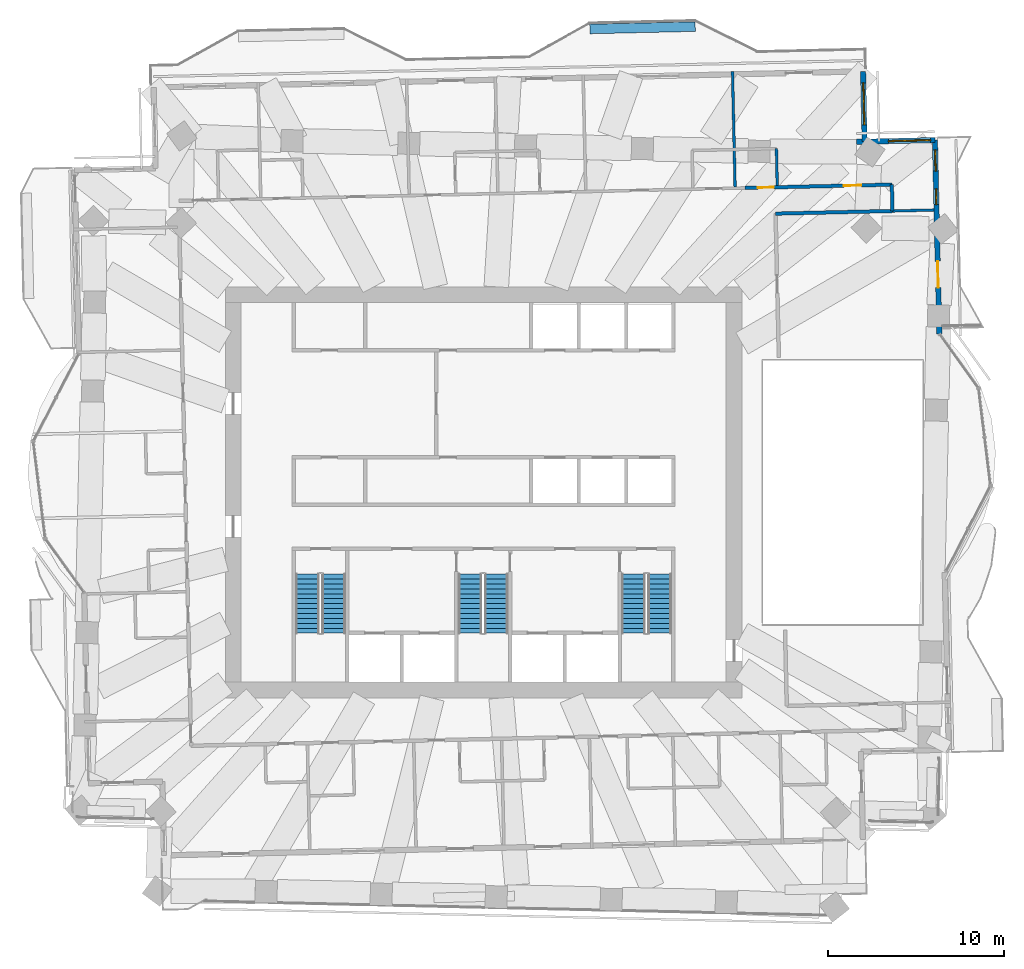
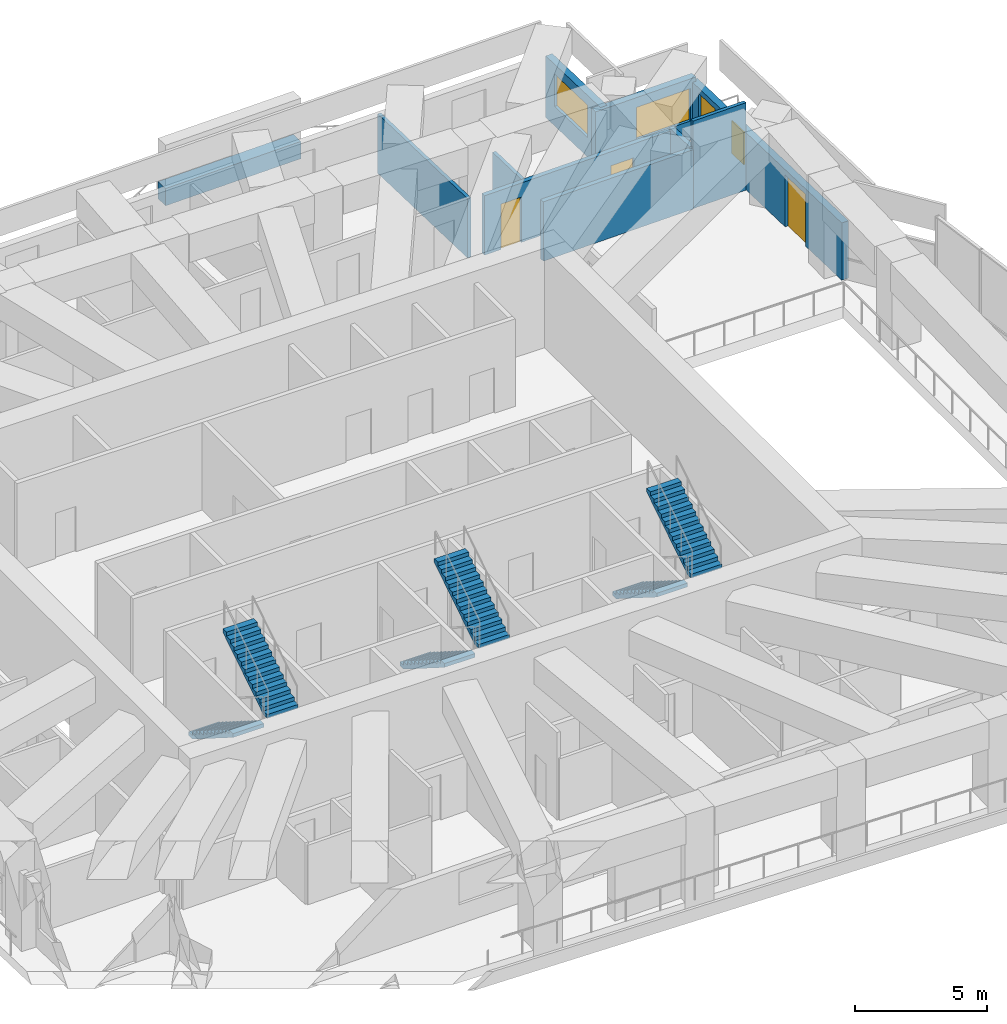
# One storey, part 13 of 17: 10 walls, 6 stair flights, 4 windows, 3 doors, 7 openings, 3 elements without a shape of their own.
"""IFC4 building model written with IfcOpenShell, lengths in metres."""

from ifc_helpers import new_model, si_unit, direction, frame, frame_2d, origin, place, context, subcontext, project, spatial, polyline, rectangle, outline, extrude, material, layer, layer_set, type_object, element, fill, aggregate, save


model = new_model("IFC4")

# Units and contexts
model_context = context("Model", 3, precision=1e-05, world=origin(), true_north=direction((0.0, 1.0)))
body_context = subcontext(model_context, "Body", "Model", "MODEL_VIEW")
ifc_project = project(units=[si_unit("LENGTHUNIT", "METRE"), si_unit("AREAUNIT", "SQUARE_METRE"), si_unit("VOLUMEUNIT", "CUBIC_METRE"), si_unit("PLANEANGLEUNIT", "RADIAN"), si_unit("MASSUNIT", "GRAM", prefix="KILO")], contexts=[model_context])

# Site, building, storey
site_placement = place(None, origin())
site = spatial("IfcSite", under=ifc_project, at=site_placement, CompositionType="ELEMENT")
building_placement = place(site_placement, origin())
building = spatial("IfcBuilding", under=site, at=building_placement, Name="Mangrove Gate Tower", CompositionType="ELEMENT")
storey_placement = place(building_placement, frame((0.0, 0.0, 170.699951171875)))
storey = spatial("IfcBuildingStorey", under=building, at=storey_placement, Name="L43", CompositionType="ELEMENT", Elevation=170.699951171875)

# Walls
ifc_material_1 = material(Name="Gypsum board on steel stud, EI 60", Category="steel")
ifc_layer_1 = layer(ifc_material_1, 0.199951171875)
ifc_layer_set_1 = layer_set([ifc_layer_1], Name="Corridor wall EI 60")
wall_type_1 = type_object("IfcWallType", Name="Corridor wall EI 60", PredefinedType="PARTITIONING", material=ifc_layer_set_1)
wall_1_placement = place(storey_placement, frame((16.612060546875, 15.864013671875, 0.0), z_axis=(0.0, 0.0, 1.0), x_axis=(0.999742781981, 0.022679723929, 0.0)))
element("IfcWall", 1, at=wall_1_placement, inside=storey, type_object=wall_type_1, Name="WALL-L43-038", PredefinedType="PARTITIONING", context=body_context, shape_type="SweptSolid", body=[
    extrude(rectangle(XDim=6.652587890625, YDim=0.199951171875, at=frame_2d((3.326171875, 0.0))), origin(), (0.0, 0.0, 1.0), 2.75),
])
wall_2_placement = place(storey_placement, frame((23.260009765625, 16.01904296875, 0.0), z_axis=(0.0, 0.0, 1.0), x_axis=(-0.022617910375, 0.999744182344, 0.0)))
element("IfcWall", 2, at=wall_2_placement, inside=storey, type_object=wall_type_1, Name="WALL-L43-040", PredefinedType="PARTITIONING", context=body_context, shape_type="SweptSolid", body=[
    extrude(rectangle(XDim=1.50048828125, YDim=0.199951171875, at=frame_2d((0.750244140625, 0.0))), origin(), (0.0, 0.0, 1.0), 2.85009765625),
])

# Wall, openings, doors
wall_3_placement = place(storey_placement, frame((14.8798828125, 17.324951171875, 0.0), z_axis=(0.0, 0.0, 1.0), x_axis=(0.99974132215, 0.022743983526, 0.0)))
wall_3 = element("IfcWall", 3, at=wall_3_placement, inside=storey, type_object=wall_type_1, Name="WALL-L43-043", PredefinedType="PARTITIONING", context=body_context, shape_type="SweptSolid", body=[
    extrude(rectangle(XDim=8.351318359375, YDim=0.199951171875, at=frame_2d((4.17578125, 0.0))), origin(), (0.0, 0.0, 1.0), 2.75),
])
opening_1_placement = place(wall_3_placement, frame((5.617919921875, 0.0, 0.0)))
opening_1 = element("IfcOpeningElement", 4, at=opening_1_placement, cuts=wall_3, Name="Opening AD", PredefinedType="OPENING", context=body_context, shape_type="SweptSolid", body=[
    extrude(rectangle(XDim=1.0, YDim=2.10009765625, at=frame_2d((0.5, 1.050048828125))), frame((0.0, 0.10986328125, 0.0), z_axis=(0.0, -1.0, 0.0), x_axis=(1.0, 0.0, 0.0)), (0.0, 0.0, 1.0), 0.219970703125),
])
opening_2_placement = place(wall_3_placement, frame((0.72802734375, 0.0, 0.0)))
opening_2 = element("IfcOpeningElement", 5, at=opening_2_placement, cuts=wall_3, Name="Opening SD", PredefinedType="OPENING", context=body_context, shape_type="SweptSolid", body=[
    extrude(rectangle(XDim=0.89990234375, YDim=2.10009765625, at=frame_2d((0.449951171875, 1.050048828125))), frame((0.0, 0.10986328125, 0.0), z_axis=(0.0, -1.0, 0.0), x_axis=(1.0, 0.0, 0.0)), (0.0, 0.0, 1.0), 0.219970703125),
])
ifc_material_2 = material(Name="Timber door leaf", Category="wood")
door_type_1 = type_object("IfcDoorType", Name="Amenity door 1000", OperationType="SINGLE_SWING_LEFT", PredefinedType="DOOR", material=ifc_material_2)
door_1_placement = place(opening_1_placement, origin())
door_1 = element("IfcDoor", 6, at=door_1_placement, inside=storey, type_object=door_type_1, Name="DOOR-L43-GAM-c3b", OperationType="SINGLE_SWING_RIGHT", OverallHeight=2.10009765625, OverallWidth=1.0, PredefinedType="DOOR", context=body_context, shape_type="SweptSolid", body=[
    extrude(rectangle(XDim=1.0, YDim=2.10009765625, at=frame_2d((0.5, 1.050048828125))), frame((0.0, 0.02490234375, 0.0), z_axis=(0.0, -1.0, 0.0), x_axis=(1.0, 0.0, 0.0)), (0.0, 0.0, 1.0), 0.050048828125),
])
fill(opening_1, door_1)
ifc_material_3 = material(Name="Timber door leaf", Category="wood")
door_type_2 = type_object("IfcDoorType", Name="Service room door 900", OperationType="SINGLE_SWING_LEFT", PredefinedType="DOOR", material=ifc_material_3)
door_2_placement = place(opening_2_placement, origin())
door_2 = element("IfcDoor", 7, at=door_2_placement, inside=storey, type_object=door_type_2, Name="DOOR-L43-LIN-c3a", OperationType="SINGLE_SWING_RIGHT", OverallHeight=2.10009765625, OverallWidth=0.89990234375, PredefinedType="DOOR", context=body_context, shape_type="SweptSolid", body=[
    extrude(rectangle(XDim=0.89990234375, YDim=2.10009765625, at=frame_2d((0.449951171875, 1.050048828125))), frame((0.0, 0.02490234375, 0.0), z_axis=(0.0, -1.0, 0.0), x_axis=(1.0, 0.0, 0.0)), (0.0, 0.0, 1.0), 0.050048828125),
])
fill(opening_2, door_2)

# Wall, openings, door, windows
ifc_material_4 = material(Name="Limestone", Category="masonry")
ifc_layer_2 = layer(ifc_material_4, 0.0400390625, Name="Limestone cladding")
ifc_material_5 = material(Name="Ventilated air gap")
ifc_layer_3 = layer(ifc_material_5, 0.0400390625, Name="Ventilated cavity")
ifc_material_6 = material(Name="Mineral wool insulation")
ifc_layer_4 = layer(ifc_material_6, 0.06005859375, Name="Insulation")
ifc_material_7 = material(Name="Breather membrane")
ifc_layer_5 = layer(ifc_material_7, 0.001953125, Name="Breather membrane")
ifc_material_8 = material(Name="Concrete C20/25 blockwork", Category="masonry")
ifc_layer_6 = layer(ifc_material_8, 0.14990234375, Name="Blockwork backing wall")
ifc_material_9 = material(Name="Gypsum plaster")
ifc_layer_7 = layer(ifc_material_9, 0.008056640625, Name="Internal plaster")
ifc_layer_set_2 = layer_set([ifc_layer_2, ifc_layer_3, ifc_layer_4, ifc_layer_5, ifc_layer_6, ifc_layer_7], Name="External wall 300 limestone cladding")
wall_type_2 = type_object("IfcWallType", Name="External wall 300 limestone cladding", PredefinedType="SOLIDWALL", material=ifc_layer_set_2)
wall_4_placement = place(storey_placement, frame((25.928955078125, 9.02490234375, 0.0), z_axis=(0.0, 0.0, 1.0), x_axis=(-0.022667601583, 0.999743056909, 0.0)))
wall_4 = element("IfcWall", 8, at=wall_4_placement, inside=storey, type_object=wall_type_2, Name="WALL-L43-E2", PredefinedType="SOLIDWALL", context=body_context, shape_type="SweptSolid", body=[
    extrude(rectangle(XDim=11.029052734375, YDim=0.300048828125, at=frame_2d((5.5146484375, 0.0))), origin(), (0.0, 0.0, 1.0), 2.650146484375),
])
opening_3_placement = place(wall_4_placement, frame((2.631103515625, 0.0, 0.0)))
opening_3 = element("IfcOpeningElement", 9, at=opening_3_placement, cuts=wall_4, Name="Opening BD1", PredefinedType="OPENING", context=body_context, shape_type="SweptSolid", body=[
    extrude(rectangle(XDim=1.5, YDim=2.39990234375, at=frame_2d((0.75, 1.199951171875))), frame((0.0, 0.159912109375, 0.0), z_axis=(0.0, -1.0, 0.0), x_axis=(1.0, 0.0, 0.0)), (0.0, 0.0, 1.0), 0.320068359375),
])
opening_4_placement = place(wall_4_placement, frame((7.35302734375, 0.0, 0.89990234375)))
opening_4 = element("IfcOpeningElement", 10, at=opening_4_placement, cuts=wall_4, Name="Opening W5", PredefinedType="OPENING", context=body_context, shape_type="SweptSolid", body=[
    extrude(rectangle(XDim=0.89990234375, YDim=1.5, at=frame_2d((0.449951171875, 0.75))), frame((0.0, 0.159912109375, 0.0), z_axis=(0.0, -1.0, 0.0), x_axis=(1.0, 0.0, 0.0)), (0.0, 0.0, 1.0), 0.320068359375),
])
opening_5_placement = place(wall_4_placement, frame((9.26611328125, 0.0, 0.89990234375)))
opening_5 = element("IfcOpeningElement", 11, at=opening_5_placement, cuts=wall_4, Name="Opening W1", PredefinedType="OPENING", context=body_context, shape_type="SweptSolid", body=[
    extrude(rectangle(XDim=1.199951171875, YDim=1.5, at=frame_2d((0.60009765625, 0.75))), frame((0.0, 0.159912109375, 0.0), z_axis=(0.0, -1.0, 0.0), x_axis=(1.0, 0.0, 0.0)), (0.0, 0.0, 1.0), 0.320068359375),
])
ifc_material_10 = material(Name="Aluminium frame with laminated clear glass", Category="aluminium")
door_type_3 = type_object("IfcDoorType", Name="Balcony sliding door 1500x2400", OperationType="SLIDING_TO_LEFT", PredefinedType="DOOR", material=ifc_material_10)
door_3_placement = place(opening_3_placement, origin())
door_3 = element("IfcDoor", 12, at=door_3_placement, inside=storey, type_object=door_type_3, Name="DOOR-L43-E2-1", OperationType="SLIDING_TO_LEFT", OverallHeight=2.39990234375, OverallWidth=1.5, PredefinedType="DOOR", context=body_context, shape_type="SweptSolid", body=[
    extrude(rectangle(XDim=1.5, YDim=2.39990234375, at=frame_2d((0.75, 1.199951171875))), frame((0.0, 0.02490234375, 0.0), z_axis=(0.0, -1.0, 0.0), x_axis=(1.0, 0.0, 0.0)), (0.0, 0.0, 1.0), 0.050048828125),
])
fill(opening_3, door_3)
ifc_material_11 = material(Name="Aluminium frame with double-glazed low-e glass", Category="aluminium")
window_type_1 = type_object("IfcWindowType", Name="Narrow window 900x1500", PartitioningType="SINGLE_PANEL", PredefinedType="WINDOW", material=ifc_material_11)
window_1_placement = place(opening_4_placement, origin())
window_1 = element("IfcWindow", 13, at=window_1_placement, inside=storey, type_object=window_type_1, Name="WIN-L43-E2-2", OverallHeight=1.5, OverallWidth=0.89990234375, PartitioningType="SINGLE_PANEL", PredefinedType="WINDOW", context=body_context, shape_type="SweptSolid", body=[
    extrude(rectangle(XDim=0.89990234375, YDim=1.5, at=frame_2d((0.449951171875, 0.75))), frame((0.0, 0.030029296875, 0.0), z_axis=(0.0, -1.0, 0.0), x_axis=(1.0, 0.0, 0.0)), (0.0, 0.0, 1.0), 0.06005859375),
])
fill(opening_4, window_1)
ifc_material_12 = material(Name="Aluminium frame with double-glazed low-e glass", Category="aluminium")
window_type_2 = type_object("IfcWindowType", Name="Side lite 1200x1500", PartitioningType="SINGLE_PANEL", PredefinedType="WINDOW", material=ifc_material_12)
window_2_placement = place(opening_5_placement, origin())
window_2 = element("IfcWindow", 14, at=window_2_placement, inside=storey, type_object=window_type_2, Name="WIN-L43-E2-3", OverallHeight=1.5, OverallWidth=1.199951171875, PartitioningType="SINGLE_PANEL", PredefinedType="WINDOW", context=body_context, shape_type="SweptSolid", body=[
    extrude(rectangle(XDim=1.199951171875, YDim=1.5, at=frame_2d((0.60009765625, 0.75))), frame((0.0, 0.030029296875, 0.0), z_axis=(0.0, -1.0, 0.0), x_axis=(1.0, 0.0, 0.0)), (0.0, 0.0, 1.0), 0.06005859375),
])
fill(opening_5, window_2)

# Wall, opening, window
wall_5_placement = place(storey_placement, frame((25.678955078125, 20.051025390625, 0.0), z_axis=(0.0, 0.0, 1.0), x_axis=(-0.999742373047, -0.022697742936, 0.0)))
wall_5 = element("IfcWall", 15, at=wall_5_placement, inside=storey, type_object=wall_type_2, Name="WALL-L43-N3s1", PredefinedType="SOLIDWALL", context=body_context, shape_type="SweptSolid", body=[
    extrude(rectangle(XDim=4.453125, YDim=0.300048828125, at=frame_2d((2.2265625, 0.0))), origin(), (0.0, 0.0, 1.0), 2.85009765625),
])
opening_6_placement = place(wall_5_placement, frame((0.24609375, 0.0, 0.89990234375)))
opening_6 = element("IfcOpeningElement", 16, at=opening_6_placement, cuts=wall_5, Name="Opening W2", PredefinedType="OPENING", context=body_context, shape_type="SweptSolid", body=[
    extrude(rectangle(XDim=2.39990234375, YDim=1.5, at=frame_2d((1.199951171875, 0.75))), frame((0.0, 0.159912109375, 0.0), z_axis=(0.0, -1.0, 0.0), x_axis=(1.0, 0.0, 0.0)), (0.0, 0.0, 1.0), 0.320068359375),
])
ifc_material_13 = material(Name="Aluminium frame with double-glazed low-e glass", Category="aluminium")
window_type_3 = type_object("IfcWindowType", Name="Corner room window 2400x1500", PartitioningType="DOUBLE_PANEL_VERTICAL", PredefinedType="WINDOW", material=ifc_material_13)
window_3_placement = place(opening_6_placement, origin())
window_3 = element("IfcWindow", 17, at=window_3_placement, inside=storey, type_object=window_type_3, Name="WIN-L43-N3-1", OverallHeight=1.5, OverallWidth=2.39990234375, PartitioningType="DOUBLE_PANEL_VERTICAL", PredefinedType="WINDOW", context=body_context, shape_type="SweptSolid", body=[
    extrude(rectangle(XDim=2.39990234375, YDim=1.5, at=frame_2d((1.199951171875, 0.75))), frame((0.0, 0.030029296875, 0.0), z_axis=(0.0, -1.0, 0.0), x_axis=(1.0, 0.0, 0.0)), (0.0, 0.0, 1.0), 0.06005859375),
])
fill(opening_6, window_3)

wall_6_placement = place(storey_placement, frame((21.679931640625, 19.9599609375, 0.0), z_axis=(0.0, 0.0, 1.0), x_axis=(-0.022704768219, 0.999742213523, 0.0)))
wall_6 = element("IfcWall", 18, at=wall_6_placement, inside=storey, type_object=wall_type_2, Name="WALL-L43-E4", PredefinedType="SOLIDWALL", context=body_context, shape_type="SweptSolid", body=[
    extrude(rectangle(XDim=4.0, YDim=0.300048828125, at=frame_2d((2.0, 0.0))), origin(), (0.0, 0.0, 1.0), 2.85009765625),
])
opening_7_placement = place(wall_6_placement, frame((0.949951171875, 0.0, 0.89990234375)))
opening_7 = element("IfcOpeningElement", 19, at=opening_7_placement, cuts=wall_6, Name="Opening W2", PredefinedType="OPENING", context=body_context, shape_type="SweptSolid", body=[
    extrude(rectangle(XDim=2.39990234375, YDim=1.5, at=frame_2d((1.199951171875, 0.75))), frame((0.0, 0.159912109375, 0.0), z_axis=(0.0, -1.0, 0.0), x_axis=(1.0, 0.0, 0.0)), (0.0, 0.0, 1.0), 0.320068359375),
])
window_4_placement = place(opening_7_placement, origin())
window_4 = element("IfcWindow", 20, at=window_4_placement, inside=storey, type_object=window_type_3, Name="WIN-L43-E4-1", OverallHeight=1.5, OverallWidth=2.39990234375, PartitioningType="DOUBLE_PANEL_VERTICAL", PredefinedType="WINDOW", context=body_context, shape_type="SweptSolid", body=[
    extrude(rectangle(XDim=2.39990234375, YDim=1.5, at=frame_2d((1.199951171875, 0.75))), frame((0.0, 0.030029296875, 0.0), z_axis=(0.0, -1.0, 0.0), x_axis=(1.0, 0.0, 0.0)), (0.0, 0.0, 1.0), 0.06005859375),
])
fill(opening_7, window_4)

# Walls
ifc_material_14 = material(Name="Gypsum board on steel stud, EI 60", Category="steel")
ifc_layer_8 = layer(ifc_material_14, 0.14990234375)
ifc_layer_set_3 = layer_set([ifc_layer_8], Name="Party wall 150 EI 60")
wall_type_3 = type_object("IfcWallType", Name="Party wall 150 EI 60", PredefinedType="PARTITIONING", material=ifc_layer_set_3)
wall_7_placement = place(storey_placement, frame((23.262939453125, 16.014892578125, 0.0), z_axis=(0.0, 0.0, 1.0), x_axis=(0.999735485804, 0.02299909615, 0.0)))
element("IfcWall", 21, at=wall_7_placement, inside=storey, type_object=wall_type_3, Name="WALL-L43-039", PredefinedType="PARTITIONING", context=body_context, shape_type="SweptSolid", body=[
    extrude(rectangle(XDim=2.356689453125, YDim=0.14990234375, at=frame_2d((1.17822265625, 0.0))), origin(), (0.0, 0.0, 1.0), 4.050048828125),
])
wall_8_placement = place(storey_placement, frame((14.305908203125, 17.39111328125, 0.0), z_axis=(0.0, 0.0, 1.0), x_axis=(-0.022582580084, 0.999744981021, 0.0)))
element("IfcWall", 22, at=wall_8_placement, inside=storey, type_object=wall_type_3, Name="WALL-L43-053", PredefinedType="PARTITIONING", context=body_context, shape_type="SweptSolid", body=[
    extrude(rectangle(XDim=6.551513671875, YDim=0.14990234375, at=frame_2d((3.27587890625, 0.0))), origin(), (0.0, 0.0, 1.0), 2.75),
])
wall_9_placement = place(storey_placement, frame((16.705078125, 17.470947265625, 0.0), z_axis=(0.0, 0.0, 1.0), x_axis=(-0.022906293375, 0.999737616439, 0.0)))
element("IfcWall", 23, at=wall_9_placement, inside=storey, type_object=wall_type_3, Name="WALL-L43-054", PredefinedType="PARTITIONING", context=body_context, shape_type="SweptSolid", body=[
    extrude(rectangle(XDim=2.099609375, YDim=0.14990234375, at=frame_2d((1.0498046875, 0.0))), origin(), (0.0, 0.0, 1.0), 2.75),
])
ifc_material_15 = material(Name="Concrete C32/40", Category="concrete")
ifc_layer_9 = layer(ifc_material_15, 0.199951171875, Name="Planter trough wall")
ifc_material_16 = material(Name="Bituminous waterproofing membrane")
ifc_layer_10 = layer(ifc_material_16, 0.0048828125, Name="Waterproofing")
ifc_material_17 = material(Name="Drainage board and gravel")
ifc_layer_11 = layer(ifc_material_17, 0.044921875, Name="Drainage layer")
ifc_material_18 = material(Name="Planting soil")
ifc_layer_12 = layer(ifc_material_18, 0.300048828125, Name="Growing medium")
ifc_layer_set_4 = layer_set([ifc_layer_9, ifc_layer_10, ifc_layer_11, ifc_layer_12], Name="Planter wall 550 C32/40")
wall_type_4 = type_object("IfcWallType", Name="Planter wall 550 C32/40", PredefinedType="USERDEFINED", material=ifc_layer_set_4)
wall_10_placement = place(storey_placement, frame((6.0400390625, 26.3720703125, 0.0), z_axis=(0.0, 0.0, 1.0), x_axis=(0.999743094499, 0.022665943652, 0.0)))
element("IfcWall", 24, at=wall_10_placement, inside=storey, type_object=wall_type_4, Name="PLANTER L43 N0.1", ObjectType="PLANTER", PredefinedType="USERDEFINED", context=body_context, shape_type="SweptSolid", body=[
    extrude(rectangle(XDim=5.99951171875, YDim=0.550048828125, at=frame_2d((2.999755859375, 0.0))), origin(), (0.0, 0.0, 1.0), 0.800048828125),
])

# Stair, stair flights
ifc_material_19 = material(Name="Concrete C40/50", Category="concrete")
stair_type = type_object("IfcStairType", Name="Core stair 1350", PredefinedType="HALF_TURN_STAIR", material=ifc_material_19)
stair_1_placement = place(storey_placement, origin())
stair_1 = element("IfcStair", 25, at=stair_1_placement, inside=storey, type_object=stair_type, Name="L43 Stair 1", PredefinedType="HALF_TURN_STAIR")
ifc_material_20 = material(Name="Concrete C40/50", Category="concrete")
stair_flight_type = type_object("IfcStairFlightType", Name="Core stair flight 1350", PredefinedType="STRAIGHT", material=ifc_material_20)
stair_flight_1_placement = place(storey_placement, frame((-10.02490234375, -4.64990234375, 0.0), z_axis=(0.0, 0.0, 1.0), x_axis=(0.0, -1.0, 0.0)))
stair_flight_1 = element("IfcStairFlight", 26, at=stair_flight_1_placement, type_object=stair_flight_type, Name="ST1 flight 1", NumberOfRisers=13, NumberOfTreads=12, PredefinedType="STRAIGHT", RiserHeight=0.176923077, TreadLength=0.28, context=body_context, shape_type="SweptSolid", body=[
    extrude(outline(polyline([(0.0, 0.0), (0.0, 0.177001953125), (0.280029296875, 0.177001953125), (0.280029296875, 0.353759765625), (0.56005859375, 0.353759765625), (0.56005859375, 0.53076171875), (0.840087890625, 0.53076171875), (0.840087890625, 0.707763671875), (1.1201171875, 0.707763671875), (1.1201171875, 0.884521484375), (1.39990234375, 0.884521484375), (1.39990234375, 1.0615234375), (1.679931640625, 1.0615234375), (1.679931640625, 1.238525390625), (1.9599609375, 1.238525390625), (1.9599609375, 1.415283203125), (2.239990234375, 1.415283203125), (2.239990234375, 1.59228515625), (2.52001953125, 1.59228515625), (2.52001953125, 1.769287109375), (2.800048828125, 1.769287109375), (2.800048828125, 1.946044921875), (3.080078125, 1.946044921875), (3.080078125, 2.123046875), (3.360107421875, 2.123046875), (3.360107421875, 2.300048828125), (3.360107421875, 1.94580078125), (0.280517578125, 0.0), (0.0, 0.0)])), frame((0.0, 0.675048828125, 0.0), z_axis=(0.0, -1.0, 0.0), x_axis=(1.0, 0.0, 0.0)), (0.0, 0.0, 1.0), 1.35009765625),
])
stair_flight_2_placement = place(storey_placement, frame((-8.52490234375, -8.010009765625, 2.300048828125), z_axis=(0.0, 0.0, 1.0), x_axis=(0.0, 1.0, 0.0)))
stair_flight_2 = element("IfcStairFlight", 27, at=stair_flight_2_placement, type_object=stair_flight_type, Name="ST1 flight 2", NumberOfRisers=13, NumberOfTreads=12, PredefinedType="STRAIGHT", RiserHeight=0.176923077, TreadLength=0.28, context=body_context, shape_type="SweptSolid", body=[
    extrude(outline(polyline([(0.0, 0.0), (0.0, 0.177001953125), (0.280029296875, 0.177001953125), (0.280029296875, 0.353759765625), (0.56005859375, 0.353759765625), (0.56005859375, 0.53076171875), (0.840087890625, 0.53076171875), (0.840087890625, 0.707763671875), (1.1201171875, 0.707763671875), (1.1201171875, 0.884521484375), (1.39990234375, 0.884521484375), (1.39990234375, 1.0615234375), (1.679931640625, 1.0615234375), (1.679931640625, 1.238525390625), (1.9599609375, 1.238525390625), (1.9599609375, 1.415283203125), (2.239990234375, 1.415283203125), (2.239990234375, 1.59228515625), (2.52001953125, 1.59228515625), (2.52001953125, 1.769287109375), (2.800048828125, 1.769287109375), (2.800048828125, 1.946044921875), (3.080078125, 1.946044921875), (3.080078125, 2.123046875), (3.360107421875, 2.123046875), (3.360107421875, 2.300048828125), (3.360107421875, 1.94580078125), (0.280517578125, 0.0), (0.0, 0.0)])), frame((0.0, 0.675048828125, 0.0), z_axis=(0.0, -1.0, 0.0), x_axis=(1.0, 0.0, 0.0)), (0.0, 0.0, 1.0), 1.35009765625),
])
aggregate(stair_1, [stair_flight_1, stair_flight_2])

stair_2_placement = place(storey_placement, origin())
stair_2 = element("IfcStair", 28, at=stair_2_placement, inside=storey, type_object=stair_type, Name="L43 Stair 2", PredefinedType="HALF_TURN_STAIR")
stair_flight_3_placement = place(storey_placement, frame((-0.77490234375, -4.64990234375, 0.0), z_axis=(0.0, 0.0, 1.0), x_axis=(0.0, -1.0, 0.0)))
stair_flight_3 = element("IfcStairFlight", 29, at=stair_flight_3_placement, type_object=stair_flight_type, Name="ST2 flight 1", NumberOfRisers=13, NumberOfTreads=12, PredefinedType="STRAIGHT", RiserHeight=0.176923077, TreadLength=0.28, context=body_context, shape_type="SweptSolid", body=[
    extrude(outline(polyline([(0.0, 0.0), (0.0, 0.177001953125), (0.280029296875, 0.177001953125), (0.280029296875, 0.353759765625), (0.56005859375, 0.353759765625), (0.56005859375, 0.53076171875), (0.840087890625, 0.53076171875), (0.840087890625, 0.707763671875), (1.1201171875, 0.707763671875), (1.1201171875, 0.884521484375), (1.39990234375, 0.884521484375), (1.39990234375, 1.0615234375), (1.679931640625, 1.0615234375), (1.679931640625, 1.238525390625), (1.9599609375, 1.238525390625), (1.9599609375, 1.415283203125), (2.239990234375, 1.415283203125), (2.239990234375, 1.59228515625), (2.52001953125, 1.59228515625), (2.52001953125, 1.769287109375), (2.800048828125, 1.769287109375), (2.800048828125, 1.946044921875), (3.080078125, 1.946044921875), (3.080078125, 2.123046875), (3.360107421875, 2.123046875), (3.360107421875, 2.300048828125), (3.360107421875, 1.94580078125), (0.280517578125, 0.0), (0.0, 0.0)])), frame((0.0, 0.675048828125, 0.0), z_axis=(0.0, -1.0, 0.0), x_axis=(1.0, 0.0, 0.0)), (0.0, 0.0, 1.0), 1.35009765625),
])
stair_flight_4_placement = place(storey_placement, frame((0.72509765625, -8.010009765625, 2.300048828125), z_axis=(0.0, 0.0, 1.0), x_axis=(0.0, 1.0, 0.0)))
stair_flight_4 = element("IfcStairFlight", 30, at=stair_flight_4_placement, type_object=stair_flight_type, Name="ST2 flight 2", NumberOfRisers=13, NumberOfTreads=12, PredefinedType="STRAIGHT", RiserHeight=0.176923077, TreadLength=0.28, context=body_context, shape_type="SweptSolid", body=[
    extrude(outline(polyline([(0.0, 0.0), (0.0, 0.177001953125), (0.280029296875, 0.177001953125), (0.280029296875, 0.353759765625), (0.56005859375, 0.353759765625), (0.56005859375, 0.53076171875), (0.840087890625, 0.53076171875), (0.840087890625, 0.707763671875), (1.1201171875, 0.707763671875), (1.1201171875, 0.884521484375), (1.39990234375, 0.884521484375), (1.39990234375, 1.0615234375), (1.679931640625, 1.0615234375), (1.679931640625, 1.238525390625), (1.9599609375, 1.238525390625), (1.9599609375, 1.415283203125), (2.239990234375, 1.415283203125), (2.239990234375, 1.59228515625), (2.52001953125, 1.59228515625), (2.52001953125, 1.769287109375), (2.800048828125, 1.769287109375), (2.800048828125, 1.946044921875), (3.080078125, 1.946044921875), (3.080078125, 2.123046875), (3.360107421875, 2.123046875), (3.360107421875, 2.300048828125), (3.360107421875, 1.94580078125), (0.280517578125, 0.0), (0.0, 0.0)])), frame((0.0, 0.675048828125, 0.0), z_axis=(0.0, -1.0, 0.0), x_axis=(1.0, 0.0, 0.0)), (0.0, 0.0, 1.0), 1.35009765625),
])
aggregate(stair_2, [stair_flight_3, stair_flight_4])

stair_3_placement = place(storey_placement, origin())
stair_3 = element("IfcStair", 31, at=stair_3_placement, inside=storey, type_object=stair_type, Name="L43 Stair 3", PredefinedType="HALF_TURN_STAIR")
stair_flight_5_placement = place(storey_placement, frame((8.52490234375, -4.64990234375, 0.0), z_axis=(0.0, 0.0, 1.0), x_axis=(0.0, -1.0, 0.0)))
stair_flight_5 = element("IfcStairFlight", 32, at=stair_flight_5_placement, type_object=stair_flight_type, Name="ST3 flight 1", NumberOfRisers=13, NumberOfTreads=12, PredefinedType="STRAIGHT", RiserHeight=0.176923077, TreadLength=0.28, context=body_context, shape_type="SweptSolid", body=[
    extrude(outline(polyline([(0.0, 0.0), (0.0, 0.177001953125), (0.280029296875, 0.177001953125), (0.280029296875, 0.353759765625), (0.56005859375, 0.353759765625), (0.56005859375, 0.53076171875), (0.840087890625, 0.53076171875), (0.840087890625, 0.707763671875), (1.1201171875, 0.707763671875), (1.1201171875, 0.884521484375), (1.39990234375, 0.884521484375), (1.39990234375, 1.0615234375), (1.679931640625, 1.0615234375), (1.679931640625, 1.238525390625), (1.9599609375, 1.238525390625), (1.9599609375, 1.415283203125), (2.239990234375, 1.415283203125), (2.239990234375, 1.59228515625), (2.52001953125, 1.59228515625), (2.52001953125, 1.769287109375), (2.800048828125, 1.769287109375), (2.800048828125, 1.946044921875), (3.080078125, 1.946044921875), (3.080078125, 2.123046875), (3.360107421875, 2.123046875), (3.360107421875, 2.300048828125), (3.360107421875, 1.94580078125), (0.280517578125, 0.0), (0.0, 0.0)])), frame((0.0, 0.675048828125, 0.0), z_axis=(0.0, -1.0, 0.0), x_axis=(1.0, 0.0, 0.0)), (0.0, 0.0, 1.0), 1.35009765625),
])
stair_flight_6_placement = place(storey_placement, frame((10.02490234375, -8.010009765625, 2.300048828125), z_axis=(0.0, 0.0, 1.0), x_axis=(0.0, 1.0, 0.0)))
stair_flight_6 = element("IfcStairFlight", 33, at=stair_flight_6_placement, type_object=stair_flight_type, Name="ST3 flight 2", NumberOfRisers=13, NumberOfTreads=12, PredefinedType="STRAIGHT", RiserHeight=0.176923077, TreadLength=0.28, context=body_context, shape_type="SweptSolid", body=[
    extrude(outline(polyline([(0.0, 0.0), (0.0, 0.177001953125), (0.280029296875, 0.177001953125), (0.280029296875, 0.353759765625), (0.56005859375, 0.353759765625), (0.56005859375, 0.53076171875), (0.840087890625, 0.53076171875), (0.840087890625, 0.707763671875), (1.1201171875, 0.707763671875), (1.1201171875, 0.884521484375), (1.39990234375, 0.884521484375), (1.39990234375, 1.0615234375), (1.679931640625, 1.0615234375), (1.679931640625, 1.238525390625), (1.9599609375, 1.238525390625), (1.9599609375, 1.415283203125), (2.239990234375, 1.415283203125), (2.239990234375, 1.59228515625), (2.52001953125, 1.59228515625), (2.52001953125, 1.769287109375), (2.800048828125, 1.769287109375), (2.800048828125, 1.946044921875), (3.080078125, 1.946044921875), (3.080078125, 2.123046875), (3.360107421875, 2.123046875), (3.360107421875, 2.300048828125), (3.360107421875, 1.94580078125), (0.280517578125, 0.0), (0.0, 0.0)])), frame((0.0, 0.675048828125, 0.0), z_axis=(0.0, -1.0, 0.0), x_axis=(1.0, 0.0, 0.0)), (0.0, 0.0, 1.0), 1.35009765625),
])
aggregate(stair_3, [stair_flight_5, stair_flight_6])

save(model, "model.ifc")
